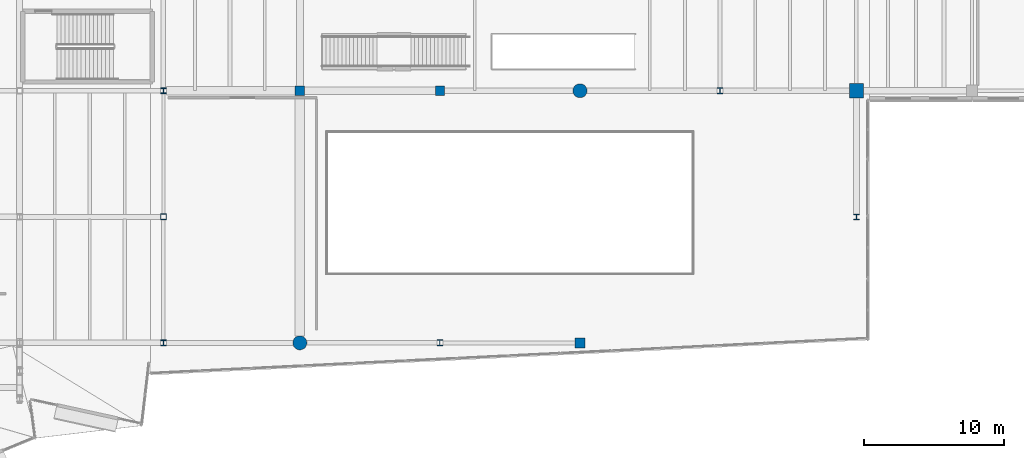
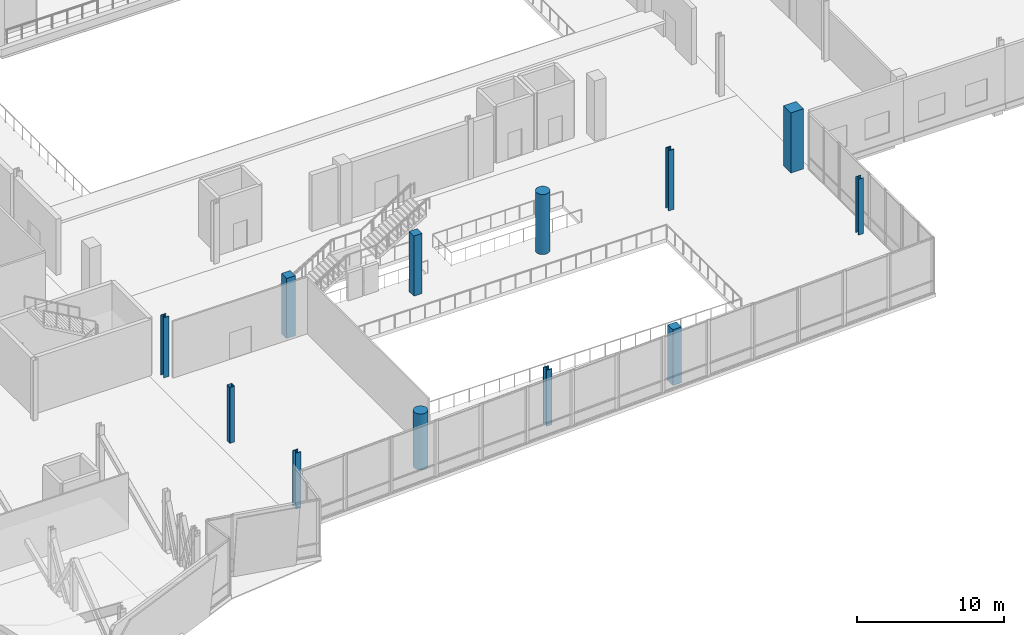
# One storey, part 4 of 73: 12 columns.
"""IFC4 building model written with IfcOpenShell, lengths in metres."""

from ifc_helpers import new_model, si_unit, direction, frame, origin, origin_2d, place, context, subcontext, project, spatial, rectangle, hollow_rectangle, circle, i_section, extrude, material, material_profile, profile_set, type_object, element, save


model = new_model("IFC4")

# Units and contexts
model_context = context("Model", 3, precision=1e-05, world=origin(), true_north=direction((0.0, 1.0)))
body_context = subcontext(model_context, "Body", "Model", "MODEL_VIEW")
ifc_project = project(units=[si_unit("LENGTHUNIT", "METRE"), si_unit("AREAUNIT", "SQUARE_METRE"), si_unit("VOLUMEUNIT", "CUBIC_METRE"), si_unit("PLANEANGLEUNIT", "RADIAN"), si_unit("MASSUNIT", "GRAM", prefix="KILO")], contexts=[model_context])

# Site, building, storey
site_placement = place(None, origin())
site = spatial("IfcSite", under=ifc_project, at=site_placement, CompositionType="ELEMENT")
building_placement = place(site_placement, origin())
building = spatial("IfcBuilding", under=site, at=building_placement, Name="Trimount Lyric Opera House", CompositionType="ELEMENT")
storey_placement = place(building_placement, frame((0.0, 0.0, 10.0)))
storey = spatial("IfcBuildingStorey", under=building, at=storey_placement, Name="L02", CompositionType="ELEMENT", Elevation=10.0)

# Columns
ifc_material_1 = material(Name="Steel ASTM A992 Grade 50", Category="steel")
ifc_material_profile_1 = material_profile(ifc_material_1, i_section(OverallWidth=0.406005859375, OverallDepth=0.4169921875, WebThickness=0.02978515625, FlangeThickness=0.048095703125, FilletRadius=0.01806640625, at=origin_2d()), Name="W14X257")
ifc_profile_set_1 = profile_set([ifc_material_profile_1], Name="Steel ASTM A992 Grade 50")
column_type_1 = type_object("IfcColumnType", Name="C-02", PredefinedType="COLUMN", material=ifc_profile_set_1)
column_1_placement = place(storey_placement, frame((64.260009765625, 26.0, 0.0), z_axis=(0.0, 0.0, 1.0), x_axis=(1.0, 0.0, 0.0)))
element("IfcColumn", 1, at=column_1_placement, inside=storey, type_object=column_type_1, Name="L02 column 8/D", PredefinedType="COLUMN", context=body_context, shape_type="SweptSolid", body=[
    extrude(i_section(OverallWidth=0.406005859375, OverallDepth=0.4169921875, WebThickness=0.02978515625, FlangeThickness=0.048095703125, FilletRadius=0.01806640625, at=origin_2d()), origin(), (0.0, 0.0, 1.0), 4.639892578125),
])
column_2_placement = place(storey_placement, frame((64.260009765625, 44.0, 0.0), z_axis=(0.0, 0.0, 1.0), x_axis=(1.0, 0.0, 0.0)))
element("IfcColumn", 2, at=column_2_placement, inside=storey, type_object=column_type_1, Name="L02 column 8/F", PredefinedType="COLUMN", context=body_context, shape_type="SweptSolid", body=[
    extrude(i_section(OverallWidth=0.406005859375, OverallDepth=0.4169921875, WebThickness=0.02978515625, FlangeThickness=0.048095703125, FilletRadius=0.01806640625, at=origin_2d()), origin(), (0.0, 0.0, 1.0), 5.0),
])
ifc_material_2 = material(Name="Steel ASTM A992 Grade 50", Category="steel")
ifc_material_profile_2 = material_profile(ifc_material_2, i_section(OverallWidth=0.39892578125, OverallDepth=0.385986328125, WebThickness=0.02099609375, FlangeThickness=0.033203125, FilletRadius=0.01611328125, at=origin_2d()), Name="W14X176")
ifc_profile_set_2 = profile_set([ifc_material_profile_2], Name="Steel ASTM A992 Grade 50")
column_type_2 = type_object("IfcColumnType", Name="C-03", PredefinedType="COLUMN", material=ifc_profile_set_2)
column_3_placement = place(storey_placement, frame((113.739990234375, 35.0, 0.0), z_axis=(0.0, 0.0, 1.0), x_axis=(1.0, 0.0, 0.0)))
element("IfcColumn", 3, at=column_3_placement, inside=storey, type_object=column_type_2, Name="L02 column 13/E", PredefinedType="COLUMN", context=body_context, shape_type="SweptSolid", body=[
    extrude(i_section(OverallWidth=0.39892578125, OverallDepth=0.385986328125, WebThickness=0.02099609375, FlangeThickness=0.033203125, FilletRadius=0.01611328125, at=origin_2d()), origin(), (0.0, 0.0, 1.0), 4.639892578125),
])
ifc_material_3 = material(Name="Steel ASTM A500 Grade C", Category="steel")
ifc_material_profile_3 = material_profile(ifc_material_3, hollow_rectangle(XDim=0.406494140625, YDim=0.406494140625, WallThickness=0.014892578125, InnerFilletRadius=0.01513671875, OuterFilletRadius=0.030029296875, at=origin_2d()), Name="HSS406.4X406.4X15.9")
ifc_profile_set_3 = profile_set([ifc_material_profile_3], Name="Steel ASTM A500 Grade C")
column_type_3 = type_object("IfcColumnType", Name="C-07", PredefinedType="COLUMN", material=ifc_profile_set_3)
column_4_placement = place(storey_placement, frame((64.260009765625, 35.0, 0.0), z_axis=(0.0, 0.0, 1.0), x_axis=(1.0, 0.0, 0.0)))
element("IfcColumn", 4, at=column_4_placement, inside=storey, type_object=column_type_3, Name="L02 column 8/E", PredefinedType="COLUMN", context=body_context, shape_type="SweptSolid", body=[
    extrude(hollow_rectangle(XDim=0.406494140625, YDim=0.406494140625, WallThickness=0.014892578125, InnerFilletRadius=0.01513671875, OuterFilletRadius=0.030029296875, at=origin_2d()), origin(), (0.0, 0.0, 1.0), 4.639892578125),
])
ifc_material_4 = material(Name="Steel ASTM A992 Grade 50", Category="steel")
ifc_material_profile_4 = material_profile(ifc_material_4, i_section(OverallWidth=0.422119140625, OverallDepth=0.465087890625, WebThickness=0.044921875, FlangeThickness=0.072509765625, FilletRadius=0.02001953125, at=origin_2d()), Name="W14X398")
ifc_profile_set_4 = profile_set([ifc_material_profile_4], Name="Steel ASTM A992 Grade 50")
column_type_4 = type_object("IfcColumnType", Name="C-10", PredefinedType="COLUMN", material=ifc_profile_set_4)
column_5_placement = place(storey_placement, frame((84.0, 26.0, 0.0), z_axis=(0.0, 0.0, 1.0), x_axis=(1.0, 0.0, 0.0)))
element("IfcColumn", 5, at=column_5_placement, inside=storey, type_object=column_type_4, Name="L02 column 10/D", PredefinedType="COLUMN", context=body_context, shape_type="SweptSolid", body=[
    extrude(i_section(OverallWidth=0.422119140625, OverallDepth=0.465087890625, WebThickness=0.044921875, FlangeThickness=0.072509765625, FilletRadius=0.02001953125, at=origin_2d()), origin(), (0.0, 0.0, 1.0), 4.64990234375),
])
column_6_placement = place(storey_placement, frame((104.0, 44.0, 0.0), z_axis=(0.0, 0.0, 1.0), x_axis=(1.0, 0.0, 0.0)))
element("IfcColumn", 6, at=column_6_placement, inside=storey, type_object=column_type_4, Name="L02 column 12/F", PredefinedType="COLUMN", context=body_context, shape_type="SweptSolid", body=[
    extrude(i_section(OverallWidth=0.422119140625, OverallDepth=0.465087890625, WebThickness=0.044921875, FlangeThickness=0.072509765625, FilletRadius=0.02001953125, at=origin_2d()), origin(), (0.0, 0.0, 1.0), 5.0),
])
ifc_material_5 = material(Name="Concrete C50/60", Category="concrete")
ifc_material_profile_5 = material_profile(ifc_material_5, rectangle(XDim=1.0, YDim=1.0, at=origin_2d()), Name="RC1000X1000")
ifc_profile_set_5 = profile_set([ifc_material_profile_5], Name="Concrete C50/60")
column_type_5 = type_object("IfcColumnType", Name="C-12", PredefinedType="COLUMN", material=ifc_profile_set_5)
column_7_placement = place(storey_placement, frame((113.739990234375, 44.0, 0.0), z_axis=(0.0, 0.0, 1.0), x_axis=(1.0, 0.0, 0.0)))
element("IfcColumn", 7, at=column_7_placement, inside=storey, type_object=column_type_5, Name="L02 column 13/F", PredefinedType="COLUMN", context=body_context, shape_type="SweptSolid", body=[
    extrude(rectangle(XDim=1.0, YDim=1.0, at=origin_2d()), origin(), (0.0, 0.0, 1.0), 5.0),
])
ifc_material_6 = material(Name="Concrete C40/50", Category="concrete")
ifc_material_profile_6 = material_profile(ifc_material_6, rectangle(XDim=0.699951171875, YDim=0.699951171875, at=origin_2d()), Name="RC700X700")
ifc_profile_set_6 = profile_set([ifc_material_profile_6], Name="Concrete C40/50")
column_type_6 = type_object("IfcColumnType", Name="C-16", PredefinedType="COLUMN", material=ifc_profile_set_6)
column_8_placement = place(storey_placement, frame((74.0, 44.0, 0.0), z_axis=(0.0, 0.0, 1.0), x_axis=(1.0, 0.0, 0.0)))
element("IfcColumn", 8, at=column_8_placement, inside=storey, type_object=column_type_6, Name="L02 column 9/F", PredefinedType="COLUMN", context=body_context, shape_type="SweptSolid", body=[
    extrude(rectangle(XDim=0.699951171875, YDim=0.699951171875, at=origin_2d()), origin(), (0.0, 0.0, 1.0), 5.0),
])
column_9_placement = place(storey_placement, frame((94.0, 26.0, 0.0), z_axis=(0.0, 0.0, 1.0), x_axis=(1.0, 0.0, 0.0)))
element("IfcColumn", 9, at=column_9_placement, inside=storey, type_object=column_type_6, Name="L02 column 11/D", PredefinedType="COLUMN", context=body_context, shape_type="SweptSolid", body=[
    extrude(rectangle(XDim=0.699951171875, YDim=0.699951171875, at=origin_2d()), origin(), (0.0, 0.0, 1.0), 4.64990234375),
])
ifc_material_7 = material(Name="Concrete C40/50", Category="concrete")
ifc_material_profile_7 = material_profile(ifc_material_7, rectangle(XDim=0.64990234375, YDim=0.64990234375, at=origin_2d()), Name="RC650X650")
ifc_profile_set_7 = profile_set([ifc_material_profile_7], Name="Concrete C40/50")
column_type_7 = type_object("IfcColumnType", Name="C-17", PredefinedType="COLUMN", material=ifc_profile_set_7)
column_10_placement = place(storey_placement, frame((84.0, 44.0, 0.0), z_axis=(0.0, 0.0, 1.0), x_axis=(1.0, 0.0, 0.0)))
element("IfcColumn", 10, at=column_10_placement, inside=storey, type_object=column_type_7, Name="L02 column 10/F", PredefinedType="COLUMN", context=body_context, shape_type="SweptSolid", body=[
    extrude(rectangle(XDim=0.64990234375, YDim=0.64990234375, at=origin_2d()), origin(), (0.0, 0.0, 1.0), 5.0),
])
ifc_material_8 = material(Name="Concrete C50/60", Category="concrete")
ifc_material_profile_8 = material_profile(ifc_material_8, circle(Radius=0.5, at=origin_2d()), Name="RC-D1000")
ifc_profile_set_8 = profile_set([ifc_material_profile_8], Name="Concrete C50/60")
column_type_8 = type_object("IfcColumnType", Name="C-18", PredefinedType="COLUMN", material=ifc_profile_set_8)
column_11_placement = place(storey_placement, frame((74.0, 26.0, 0.0), z_axis=(0.0, 0.0, 1.0), x_axis=(1.0, 0.0, 0.0)))
element("IfcColumn", 11, at=column_11_placement, inside=storey, type_object=column_type_8, Name="L02 column 9/D", PredefinedType="COLUMN", context=body_context, shape_type="SweptSolid", body=[
    extrude(circle(Radius=0.5, at=origin_2d()), origin(), (0.0, 0.0, 1.0), 4.64990234375),
])
column_12_placement = place(storey_placement, frame((94.0, 44.0, 0.0), z_axis=(0.0, 0.0, 1.0), x_axis=(1.0, 0.0, 0.0)))
element("IfcColumn", 12, at=column_12_placement, inside=storey, type_object=column_type_8, Name="L02 column 11/F", PredefinedType="COLUMN", context=body_context, shape_type="SweptSolid", body=[
    extrude(circle(Radius=0.5, at=origin_2d()), origin(), (0.0, 0.0, 1.0), 5.0),
])

save(model, "model.ifc")
